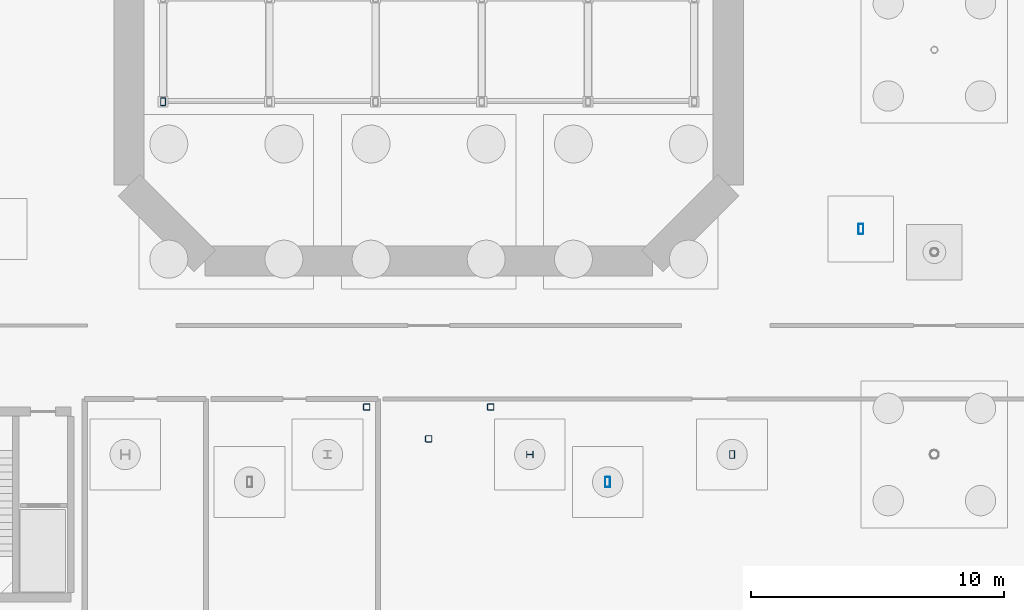
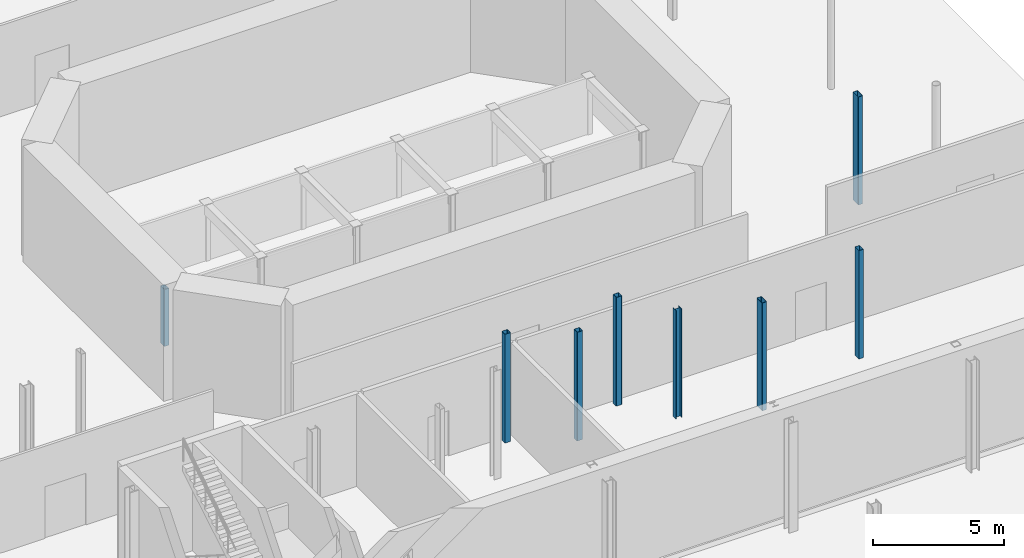
# One storey, part 10 of 33: 8 columns.
"""IFC4 building model written with IfcOpenShell, lengths in metres."""

from ifc_helpers import new_model, si_unit, direction, frame, origin, origin_2d, place, context, subcontext, project, spatial, hollow_rectangle, i_section, extrude, material, material_profile, profile_set, type_object, element, save


model = new_model("IFC4")

# Units and contexts
model_context = context("Model", 3, precision=1e-05, world=origin(), true_north=direction((0.0, 1.0)))
body_context = subcontext(model_context, "Body", "Model", "MODEL_VIEW")
ifc_project = project(units=[si_unit("LENGTHUNIT", "METRE"), si_unit("AREAUNIT", "SQUARE_METRE"), si_unit("VOLUMEUNIT", "CUBIC_METRE"), si_unit("PLANEANGLEUNIT", "RADIAN"), si_unit("MASSUNIT", "GRAM", prefix="KILO")], contexts=[model_context])

# Site, building, storey
site_placement = place(None, origin())
site = spatial("IfcSite", under=ifc_project, at=site_placement, CompositionType="ELEMENT")
building_placement = place(site_placement, origin())
building = spatial("IfcBuilding", under=site, at=building_placement, Name="Brisemont Oceanarium", CompositionType="ELEMENT")
storey_placement = place(building_placement, frame((0.0, 0.0, -5.39990234375)))
storey = spatial("IfcBuildingStorey", under=building, at=storey_placement, Name="B01", CompositionType="ELEMENT", Elevation=-5.39990234375)

# Columns
ifc_material_1 = material(Name="Structural Steel ASTM A500 Gr.C", Category="steel")
ifc_material_profile_1 = material_profile(ifc_material_1, hollow_rectangle(XDim=0.25390625, YDim=0.25390625, WallThickness=0.01171875, InnerFilletRadius=0.01220703125, OuterFilletRadius=0.02392578125, at=origin_2d()), Name="HSS10X10X1/2")
ifc_profile_set_1 = profile_set([ifc_material_profile_1], Name="Structural Steel ASTM A500 Gr.C")
column_type_1 = type_object("IfcColumnType", Name="COL-HSS10X10", PredefinedType="COLUMN", material=ifc_profile_set_1)
for number, where, z_axis, x_axis, name in (
    (1, (81.550048828125, 41.8798828125, 0.0), (0.0, 0.0, 1.0), (1.0, 0.0, 0.0), "ST-11 B01 support column W"),
    (2, (86.449951171875, 41.8798828125, 0.0), (0.0, 0.0, 1.0), (1.0, 0.0, 0.0), "ST-11 B01 support column E"),
    (3, (84.0, 40.6201171875, 0.0), (0.0, 0.0, 1.0), (1.0, 0.0, 0.0), "ST-11 B01 support column C"),
):
    element("IfcColumn", number, at=place(storey_placement, frame(where, z_axis=z_axis, x_axis=x_axis)), inside=storey, type_object=column_type_1, Name=name, PredefinedType="COLUMN", context=body_context, shape_type="SweptSolid", body=[
        extrude(hollow_rectangle(XDim=0.25390625, YDim=0.25390625, WallThickness=0.01171875, InnerFilletRadius=0.01220703125, OuterFilletRadius=0.02392578125, at=origin_2d()), origin(), (0.0, 0.0, 1.0), 5.059814453125),
    ])
ifc_material_2 = material(Name="Structural Steel ASTM A500 Gr.C", Category="steel")
ifc_material_profile_2 = material_profile(ifc_material_2, hollow_rectangle(XDim=0.202880859375, YDim=0.304931640625, WallThickness=0.0087890625, InnerFilletRadius=0.009033203125, OuterFilletRadius=0.01806640625, at=origin_2d()), Name="HSS12X8X3/8")
ifc_profile_set_2 = profile_set([ifc_material_profile_2], Name="Structural Steel ASTM A500 Gr.C")
column_type_2 = type_object("IfcColumnType", Name="COL-HSS12X8", PredefinedType="COLUMN", material=ifc_profile_set_2)
column_1_placement = place(storey_placement, frame((96.0, 40.0, 0.0), z_axis=(0.0, 0.0, 1.0), x_axis=(1.0, 0.0, 0.0)))
element("IfcColumn", 4, at=column_1_placement, inside=storey, type_object=column_type_2, Name="V1 B01 column (5,1)", PredefinedType="COLUMN", context=body_context, shape_type="SweptSolid", body=[
    extrude(hollow_rectangle(XDim=0.202880859375, YDim=0.304931640625, WallThickness=0.0087890625, InnerFilletRadius=0.009033203125, OuterFilletRadius=0.01806640625, at=origin_2d()), origin(), (0.0, 0.0, 1.0), 5.039794921875),
])
column_2_placement = place(storey_placement, frame((73.5, 53.949951171875, 0.0), z_axis=(0.0, 0.0, 1.0), x_axis=(1.0, 0.0, 0.0)))
element("IfcColumn", 5, at=column_2_placement, inside=storey, type_object=column_type_2, Name="Walkthrough tunnel portal post 1S", PredefinedType="COLUMN", context=body_context, shape_type="SweptSolid", body=[
    extrude(hollow_rectangle(XDim=0.202880859375, YDim=0.304931640625, WallThickness=0.0087890625, InnerFilletRadius=0.009033203125, OuterFilletRadius=0.01806640625, at=origin_2d()), origin(), (0.0, 0.0, 1.0), 2.64990234375),
])
ifc_material_3 = material(Name="Structural Steel ASTM A500 Gr.C", Category="steel")
ifc_material_profile_3 = material_profile(ifc_material_3, hollow_rectangle(XDim=0.202880859375, YDim=0.406005859375, WallThickness=0.01171875, InnerFilletRadius=0.01220703125, OuterFilletRadius=0.02392578125, at=origin_2d()), Name="HSS16X8X1/2")
ifc_profile_set_3 = profile_set([ifc_material_profile_3], Name="Structural Steel ASTM A500 Gr.C")
column_type_3 = type_object("IfcColumnType", Name="COL-HSS16X8", PredefinedType="COLUMN", material=ifc_profile_set_3)
for number, where, z_axis, x_axis, name in (
    (6, (91.07958984375, 38.908203125, 0.0), (0.0, 0.0, 1.0), (1.0, 0.0, 0.0), "V1 dome drum pier B01.7"),
    (7, (101.091796875, 48.92041015625, 0.0), (0.0, 0.0, 1.0), (1.0, 0.0, 0.0), "V1 dome drum pier B01.8"),
):
    element("IfcColumn", number, at=place(storey_placement, frame(where, z_axis=z_axis, x_axis=x_axis)), inside=storey, type_object=column_type_3, Name=name, PredefinedType="COLUMN", context=body_context, shape_type="SweptSolid", body=[
        extrude(hollow_rectangle(XDim=0.202880859375, YDim=0.406005859375, WallThickness=0.01171875, InnerFilletRadius=0.01220703125, OuterFilletRadius=0.02392578125, at=origin_2d()), origin(), (0.0, 0.0, 1.0), 5.02001953125),
    ])
ifc_material_4 = material(Name="Structural Steel ASTM A992 Gr.50", Category="steel")
ifc_material_profile_4 = material_profile(ifc_material_4, i_section(OverallWidth=0.25390625, OverallDepth=0.25390625, WebThickness=0.008544921875, FlangeThickness=0.01416015625, FilletRadius=0.010986328125, at=origin_2d()), Name="W10X49")
ifc_profile_set_4 = profile_set([ifc_material_profile_4], Name="Structural Steel ASTM A992 Gr.50")
column_type_4 = type_object("IfcColumnType", Name="COL-W10X49", PredefinedType="COLUMN", material=ifc_profile_set_4)
column_3_placement = place(storey_placement, frame((88.0, 40.0, 0.0), z_axis=(0.0, 0.0, 1.0), x_axis=(0.0, 1.0, 0.0)))
element("IfcColumn", 8, at=column_3_placement, inside=storey, type_object=column_type_4, Name="V1 B01 column (4,1)", PredefinedType="COLUMN", context=body_context, shape_type="SweptSolid", body=[
    extrude(i_section(OverallWidth=0.25390625, OverallDepth=0.25390625, WebThickness=0.008544921875, FlangeThickness=0.01416015625, FilletRadius=0.010986328125, at=origin_2d()), origin(), (0.0, 0.0, 1.0), 5.039794921875),
])

save(model, "model.ifc")
